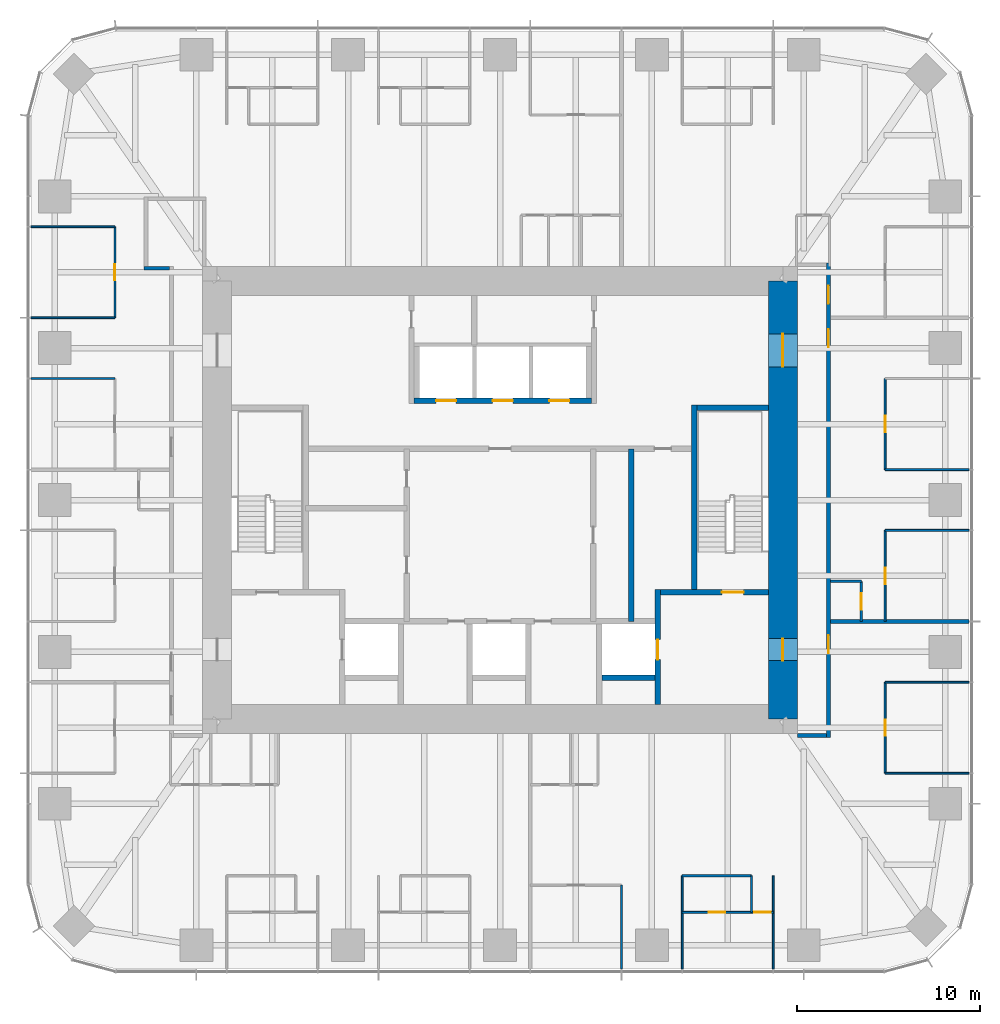
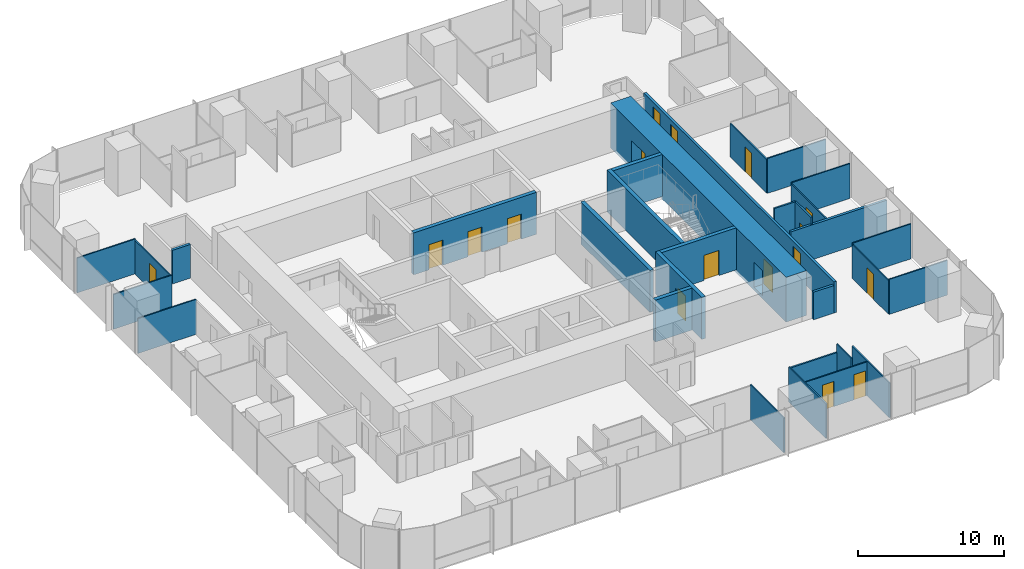
# One storey, part 10 of 13: 31 walls, 17 doors, 17 openings.
"""IFC4 building model written with IfcOpenShell, lengths in metres."""

from ifc_helpers import new_model, si_unit, direction, frame, frame_2d, origin, place, context, subcontext, project, spatial, rectangle, extrude, material, layer, layer_set, type_object, element, fill, save


model = new_model("IFC4")

# Units and contexts
model_context = context("Model", 3, precision=1e-05, world=origin(), true_north=direction((0.0, 1.0)))
body_context = subcontext(model_context, "Body", "Model", "MODEL_VIEW")
ifc_project = project(units=[si_unit("LENGTHUNIT", "METRE"), si_unit("AREAUNIT", "SQUARE_METRE"), si_unit("VOLUMEUNIT", "CUBIC_METRE"), si_unit("PLANEANGLEUNIT", "RADIAN"), si_unit("MASSUNIT", "GRAM", prefix="KILO")], contexts=[model_context])

# Site, building, storey
site_placement = place(None, origin())
site = spatial("IfcSite", under=ifc_project, at=site_placement, CompositionType="ELEMENT")
building_placement = place(site_placement, origin())
building = spatial("IfcBuilding", under=site, at=building_placement, Name="Khuree Lantern Residences", CompositionType="ELEMENT")
storey_placement = place(building_placement, frame((0.0, 0.0, 248.25)))
storey = spatial("IfcBuildingStorey", under=building, at=storey_placement, Name="L62", CompositionType="ELEMENT", Elevation=248.25)

# Wall, opening, door
ifc_material_1 = material(Name="Moisture-resistant gypsum board on steel studs", Category="steel")
ifc_layer_1 = layer(ifc_material_1, 0.125)
ifc_layer_set_1 = layer_set([ifc_layer_1], Name="BATHROOM WALL BTW125")
wall_type_1 = type_object("IfcWallType", Name="BATHROOM WALL BTW125", PredefinedType="PARTITIONING", material=ifc_layer_set_1)
wall_1_placement = place(storey_placement, frame((19.800048828125, -6.656005859375, 0.0), z_axis=(0.0, 0.0, 1.0), x_axis=(0.0, 1.0, 0.0)))
wall_1 = element("IfcWall", 1, at=wall_1_placement, inside=storey, type_object=wall_type_1, Name="L62 BATHROOM WALL 01", PredefinedType="PARTITIONING", context=body_context, shape_type="SweptSolid", body=[
    extrude(rectangle(XDim=2.199951171875, YDim=0.125, at=frame_2d((1.10009765625, 0.0))), origin(), (0.0, 0.0, 1.0), 3.5),
])
opening_1_placement = place(wall_1_placement, frame((0.64990234375, 0.0, 0.0)))
opening_1 = element("IfcOpeningElement", 2, at=opening_1_placement, cuts=wall_1, Name="Opening 62-024", PredefinedType="OPENING", context=body_context, shape_type="SweptSolid", body=[
    extrude(rectangle(XDim=0.89990234375, YDim=2.10009765625, at=frame_2d((0.449951171875, 1.050048828125))), frame((0.0, 0.072509765625, 0.0), z_axis=(0.0, -1.0, 0.0), x_axis=(1.0, 0.0, 0.0)), (0.0, 0.0, 1.0), 0.14501953125),
])
ifc_material_2 = material(Name="Timber door leaf in hardwood frame", Category="wood")
door_type_1 = type_object("IfcDoorType", Name="BATHROOM DOOR 900X2100", OperationType="SINGLE_SWING_LEFT", PredefinedType="DOOR", material=ifc_material_2)
door_1_placement = place(opening_1_placement, origin())
door_1 = element("IfcDoor", 3, at=door_1_placement, inside=storey, type_object=door_type_1, Name="Bathroom door 62-024", OperationType="SINGLE_SWING_LEFT", OverallHeight=2.10009765625, OverallWidth=0.89990234375, PredefinedType="DOOR", context=body_context, shape_type="SweptSolid", body=[
    extrude(rectangle(XDim=0.89990234375, YDim=2.10009765625, at=frame_2d((0.449951171875, 1.050048828125))), frame((0.0, 0.02490234375, 0.0), z_axis=(0.0, -1.0, 0.0), x_axis=(1.0, 0.0, 0.0)), (0.0, 0.0, 1.0), 0.050048828125),
])
fill(opening_1, door_1)

# Walls
wall_2_placement = place(storey_placement, frame((18.10009765625, -4.4560546875, 0.0), z_axis=(0.0, 0.0, 1.0), x_axis=(1.0, 0.0, 0.0)))
element("IfcWall", 4, at=wall_2_placement, inside=storey, type_object=wall_type_1, Name="L62 BATHROOM WALL 01", PredefinedType="PARTITIONING", context=body_context, shape_type="SweptSolid", body=[
    extrude(rectangle(XDim=1.699951171875, YDim=0.125, at=frame_2d((0.85009765625, 0.0))), origin(), (0.0, 0.0, 1.0), 3.5),
])
wall_3_placement = place(storey_placement, frame((9.98388671875, -20.594970703125, 0.0), z_axis=(0.0, 0.0, 1.0), x_axis=(1.0, 0.0, 0.0)))
element("IfcWall", 5, at=wall_3_placement, inside=storey, type_object=wall_type_1, Name="L62 BATHROOM WALL 06", PredefinedType="PARTITIONING", context=body_context, shape_type="SweptSolid", body=[
    extrude(rectangle(XDim=3.7919921875, YDim=0.125, at=frame_2d((1.89599609375, 0.0))), origin(), (0.0, 0.0, 1.0), 2.81005859375),
])

# Wall, opening, door
ifc_material_3 = material(Name="Dense concrete blockwork", Category="masonry")
ifc_layer_2 = layer(ifc_material_3, 0.300048828125)
ifc_layer_set_2 = layer_set([ifc_layer_2], Name="CORE PARTITION WALL CPW300 EI 120")
wall_type_2 = type_object("IfcWallType", Name="CORE PARTITION WALL CPW300 EI 120", PredefinedType="PARTITIONING", material=ifc_layer_set_2)
wall_4_placement = place(storey_placement, frame((8.64990234375, -11.199951171875, 0.0), z_axis=(0.0, 0.0, 1.0), x_axis=(0.0, 1.0, 0.0)))
wall_4 = element("IfcWall", 6, at=wall_4_placement, inside=storey, type_object=wall_type_2, Name="L62 CORE WALL FL2E", PredefinedType="PARTITIONING", context=body_context, shape_type="SweptSolid", body=[
    extrude(rectangle(XDim=6.300048828125, YDim=0.300048828125, at=frame_2d((3.14990234375, 0.0))), origin(), (0.0, 0.0, 1.0), 3.5),
])
opening_2_placement = place(wall_4_placement, frame((2.449951171875, 0.0, 0.0)))
opening_2 = element("IfcOpeningElement", 7, at=opening_2_placement, cuts=wall_4, Name="Opening 62-008", PredefinedType="OPENING", context=body_context, shape_type="SweptSolid", body=[
    extrude(rectangle(XDim=1.10009765625, YDim=2.10009765625, at=frame_2d((0.550048828125, 1.050048828125))), frame((0.0, 0.16015625, 0.0), z_axis=(0.0, -1.0, 0.0), x_axis=(1.0, 0.0, 0.0)), (0.0, 0.0, 1.0), 0.320068359375),
])
ifc_material_4 = material(Name="Stainless steel lift landing door", Category="steel")
door_type_2 = type_object("IfcDoorType", Name="LIFT LANDING DOOR 1100X2100 E 120", OperationType="DOUBLE_DOOR_SLIDING", PredefinedType="DOOR", material=ifc_material_4)
door_2_placement = place(opening_2_placement, origin())
door_2 = element("IfcDoor", 8, at=door_2_placement, inside=storey, type_object=door_type_2, Name="Landing door FL2 62-008", OperationType="DOUBLE_DOOR_SLIDING", OverallHeight=2.10009765625, OverallWidth=1.10009765625, PredefinedType="DOOR", context=body_context, shape_type="SweptSolid", body=[
    extrude(rectangle(XDim=1.10009765625, YDim=2.10009765625, at=frame_2d((0.550048828125, 1.050048828125))), frame((0.0, 0.02490234375, 0.0), z_axis=(0.0, -1.0, 0.0), x_axis=(1.0, 0.0, 0.0)), (0.0, 0.0, 1.0), 0.050048828125),
])
fill(opening_2, door_2)

# Wall
wall_5_placement = place(storey_placement, frame((5.60009765625, -9.75, 0.0), z_axis=(0.0, 0.0, 1.0), x_axis=(1.0, 0.0, 0.0)))
element("IfcWall", 9, at=wall_5_placement, inside=storey, type_object=wall_type_2, Name="L62 CORE WALL FL2S", PredefinedType="PARTITIONING", context=body_context, shape_type="SweptSolid", body=[
    extrude(rectangle(XDim=2.89990234375, YDim=0.300048828125, at=frame_2d((1.449951171875, 0.0))), origin(), (0.0, 0.0, 1.0), 3.5),
])

# Wall, openings, doors
wall_6_placement = place(storey_placement, frame((-4.699951171875, 5.449951171875, 0.0), z_axis=(0.0, 0.0, 1.0), x_axis=(1.0, 0.0, 0.0)))
wall_6 = element("IfcWall", 10, at=wall_6_placement, inside=storey, type_object=wall_type_2, Name="L62 CORE WALL PHS", PredefinedType="PARTITIONING", context=body_context, shape_type="SweptSolid", body=[
    extrude(rectangle(XDim=9.699951171875, YDim=0.300048828125, at=frame_2d((4.85009765625, 0.0))), origin(), (0.0, 0.0, 1.0), 3.5),
])
opening_3_placement = place(wall_6_placement, frame((1.199951171875, 0.0, 0.0)))
opening_3 = element("IfcOpeningElement", 11, at=opening_3_placement, cuts=wall_6, Name="Opening 62-009", PredefinedType="OPENING", context=body_context, shape_type="SweptSolid", body=[
    extrude(rectangle(XDim=1.10009765625, YDim=2.10009765625, at=frame_2d((0.550048828125, 1.050048828125))), frame((0.0, 0.16015625, 0.0), z_axis=(0.0, -1.0, 0.0), x_axis=(1.0, 0.0, 0.0)), (0.0, 0.0, 1.0), 0.320068359375),
])
opening_4_placement = place(wall_6_placement, frame((4.300048828125, 0.0, 0.0)))
opening_4 = element("IfcOpeningElement", 12, at=opening_4_placement, cuts=wall_6, Name="Opening 62-010", PredefinedType="OPENING", context=body_context, shape_type="SweptSolid", body=[
    extrude(rectangle(XDim=1.10009765625, YDim=2.10009765625, at=frame_2d((0.550048828125, 1.050048828125))), frame((0.0, 0.16015625, 0.0), z_axis=(0.0, -1.0, 0.0), x_axis=(1.0, 0.0, 0.0)), (0.0, 0.0, 1.0), 0.320068359375),
])
opening_5_placement = place(wall_6_placement, frame((7.39990234375, 0.0, 0.0)))
opening_5 = element("IfcOpeningElement", 13, at=opening_5_placement, cuts=wall_6, Name="Opening 62-011", PredefinedType="OPENING", context=body_context, shape_type="SweptSolid", body=[
    extrude(rectangle(XDim=1.10009765625, YDim=2.10009765625, at=frame_2d((0.550048828125, 1.050048828125))), frame((0.0, 0.16015625, 0.0), z_axis=(0.0, -1.0, 0.0), x_axis=(1.0, 0.0, 0.0)), (0.0, 0.0, 1.0), 0.320068359375),
])
door_type_3 = type_object("IfcDoorType", Name="LIFT LANDING DOOR 1100X2100 E 60", OperationType="DOUBLE_DOOR_SLIDING", PredefinedType="DOOR", material=ifc_material_4)
door_3_placement = place(opening_3_placement, origin())
door_3 = element("IfcDoor", 14, at=door_3_placement, inside=storey, type_object=door_type_3, Name="Landing door PH1 62-009", OperationType="DOUBLE_DOOR_SLIDING", OverallHeight=2.10009765625, OverallWidth=1.10009765625, PredefinedType="DOOR", context=body_context, shape_type="SweptSolid", body=[
    extrude(rectangle(XDim=1.10009765625, YDim=2.10009765625, at=frame_2d((0.550048828125, 1.050048828125))), frame((0.0, 0.02490234375, 0.0), z_axis=(0.0, -1.0, 0.0), x_axis=(1.0, 0.0, 0.0)), (0.0, 0.0, 1.0), 0.050048828125),
])
fill(opening_3, door_3)
door_4_placement = place(opening_4_placement, origin())
door_4 = element("IfcDoor", 15, at=door_4_placement, inside=storey, type_object=door_type_3, Name="Landing door PH2 62-010", OperationType="DOUBLE_DOOR_SLIDING", OverallHeight=2.10009765625, OverallWidth=1.10009765625, PredefinedType="DOOR", context=body_context, shape_type="SweptSolid", body=[
    extrude(rectangle(XDim=1.10009765625, YDim=2.10009765625, at=frame_2d((0.550048828125, 1.050048828125))), frame((0.0, 0.02490234375, 0.0), z_axis=(0.0, -1.0, 0.0), x_axis=(1.0, 0.0, 0.0)), (0.0, 0.0, 1.0), 0.050048828125),
])
fill(opening_4, door_4)
door_5_placement = place(opening_5_placement, origin())
door_5 = element("IfcDoor", 16, at=door_5_placement, inside=storey, type_object=door_type_3, Name="Landing door PH3 62-011", OperationType="DOUBLE_DOOR_SLIDING", OverallHeight=2.10009765625, OverallWidth=1.10009765625, PredefinedType="DOOR", context=body_context, shape_type="SweptSolid", body=[
    extrude(rectangle(XDim=1.10009765625, YDim=2.10009765625, at=frame_2d((0.550048828125, 1.050048828125))), frame((0.0, 0.02490234375, 0.0), z_axis=(0.0, -1.0, 0.0), x_axis=(1.0, 0.0, 0.0)), (0.0, 0.0, 1.0), 0.050048828125),
])
fill(opening_5, door_5)

# Walls
wall_7_placement = place(storey_placement, frame((7.193115234375, -6.64990234375, 0.0), z_axis=(0.0, 0.0, 1.0), x_axis=(0.0, 1.0, 0.0)))
element("IfcWall", 17, at=wall_7_placement, inside=storey, type_object=wall_type_2, Name="L62 CORE WALL EV", PredefinedType="PARTITIONING", context=body_context, shape_type="SweptSolid", body=[
    extrude(rectangle(XDim=9.449951171875, YDim=0.300048828125, at=frame_2d((4.72509765625, 0.0))), origin(), (0.0, 0.0, 1.0), 3.5),
])
ifc_material_5 = material(Name="Gypsum board on steel studs", Category="steel")
ifc_layer_3 = layer(ifc_material_5, 0.199951171875)
ifc_layer_set_3 = layer_set([ifc_layer_3], Name="CORRIDOR WALL CRW200 EI 60")
wall_type_3 = type_object("IfcWallType", Name="CORRIDOR WALL CRW200 EI 60", PredefinedType="PARTITIONING", material=ifc_layer_set_3)
wall_8_placement = place(storey_placement, frame((-18.10009765625, 12.699951171875, 0.0), z_axis=(0.0, 0.0, 1.0), x_axis=(-1.0, 0.0, 0.0)))
element("IfcWall", 18, at=wall_8_placement, inside=storey, type_object=wall_type_3, Name="L62 RESIDENTS LOUNGE WALL", PredefinedType="PARTITIONING", context=body_context, shape_type="SweptSolid", body=[
    extrude(rectangle(XDim=1.39990234375, YDim=0.199951171875, at=frame_2d((0.699951171875, 0.0))), origin(), (0.0, 0.0, 1.0), 2.81005859375),
])
wall_9_placement = place(storey_placement, frame((16.300048828125, -12.89990234375, 0.0), z_axis=(0.0, 0.0, 1.0), x_axis=(1.0, 0.0, 0.0)))
element("IfcWall", 19, at=wall_9_placement, inside=storey, type_object=wall_type_3, Name="L62 EAST CORRIDOR SOUTH END WALL", PredefinedType="PARTITIONING", context=body_context, shape_type="SweptSolid", body=[
    extrude(rectangle(XDim=1.599853515625, YDim=0.199951171875, at=frame_2d((0.7998046875, 0.0))), origin(), (0.0, 0.0, 1.0), 2.300048828125),
])

# Wall, openings, doors
wall_10_placement = place(storey_placement, frame((18.0, -13.0, 0.0), z_axis=(0.0, 0.0, 1.0), x_axis=(0.0, 1.0, 0.0)))
wall_10 = element("IfcWall", 20, at=wall_10_placement, inside=storey, type_object=wall_type_3, Name="L62 CORRIDOR WALL EAST 1", PredefinedType="PARTITIONING", context=body_context, shape_type="SweptSolid", body=[
    extrude(rectangle(XDim=26.0, YDim=0.199951171875, at=frame_2d((13.0, 0.0))), origin(), (0.0, 0.0, 1.0), 2.60009765625),
])
opening_6_placement = place(wall_10_placement, frame((21.364013671875, 0.0, 0.0)))
opening_6 = element("IfcOpeningElement", 21, at=opening_6_placement, cuts=wall_10, Name="Opening 62-025", PredefinedType="OPENING", context=body_context, shape_type="SweptSolid", body=[
    extrude(rectangle(XDim=1.0, YDim=2.199951171875, at=frame_2d((0.5, 1.10009765625))), frame((0.0, 0.10986328125, 0.0), z_axis=(0.0, -1.0, 0.0), x_axis=(1.0, 0.0, 0.0)), (0.0, 0.0, 1.0), 0.219970703125),
])
opening_7_placement = place(wall_10_placement, frame((23.75390625, 0.0, 0.0)))
opening_7 = element("IfcOpeningElement", 22, at=opening_7_placement, cuts=wall_10, Name="Opening 62-030", PredefinedType="OPENING", context=body_context, shape_type="SweptSolid", body=[
    extrude(rectangle(XDim=1.0, YDim=2.199951171875, at=frame_2d((0.5, 1.10009765625))), frame((0.0, 0.10986328125, 0.0), z_axis=(0.0, -1.0, 0.0), x_axis=(1.0, 0.0, 0.0)), (0.0, 0.0, 1.0), 0.219970703125),
])
opening_8_placement = place(wall_10_placement, frame((4.60009765625, 0.0, 0.0)))
opening_8 = element("IfcOpeningElement", 23, at=opening_8_placement, cuts=wall_10, Name="Opening 62-060", PredefinedType="OPENING", context=body_context, shape_type="SweptSolid", body=[
    extrude(rectangle(XDim=1.0, YDim=2.199951171875, at=frame_2d((0.5, 1.10009765625))), frame((0.0, 0.10986328125, 0.0), z_axis=(0.0, -1.0, 0.0), x_axis=(1.0, 0.0, 0.0)), (0.0, 0.0, 1.0), 0.219970703125),
])
door_type_4 = type_object("IfcDoorType", Name="APARTMENT ENTRANCE DOOR 1000X2200 EI 30S", OperationType="SINGLE_SWING_LEFT", PredefinedType="DOOR", material=ifc_material_2)
door_6_placement = place(opening_8_placement, origin())
door_6 = element("IfcDoor", 24, at=door_6_placement, inside=storey, type_object=door_type_4, Name="Apartment 06 entrance door 62-060", OperationType="SINGLE_SWING_LEFT", OverallHeight=2.199951171875, OverallWidth=1.0, PredefinedType="DOOR", context=body_context, shape_type="SweptSolid", body=[
    extrude(rectangle(XDim=1.0, YDim=2.199951171875, at=frame_2d((0.5, 1.10009765625))), frame((0.0, 0.02490234375, 0.0), z_axis=(0.0, -1.0, 0.0), x_axis=(1.0, 0.0, 0.0)), (0.0, 0.0, 1.0), 0.050048828125),
])
fill(opening_8, door_6)
door_type_5 = type_object("IfcDoorType", Name="APARTMENT ENTRANCE DOOR 1000X2200 EI 30S RIGHT HAND", OperationType="SINGLE_SWING_RIGHT", PredefinedType="DOOR", material=ifc_material_2)
door_7_placement = place(opening_6_placement, origin())
door_7 = element("IfcDoor", 25, at=door_7_placement, inside=storey, type_object=door_type_5, Name="Apartment 01 entrance door 62-025", OperationType="SINGLE_SWING_RIGHT", OverallHeight=2.199951171875, OverallWidth=1.0, PredefinedType="DOOR", context=body_context, shape_type="SweptSolid", body=[
    extrude(rectangle(XDim=1.0, YDim=2.199951171875, at=frame_2d((0.5, 1.10009765625))), frame((0.0, 0.02490234375, 0.0), z_axis=(0.0, -1.0, 0.0), x_axis=(1.0, 0.0, 0.0)), (0.0, 0.0, 1.0), 0.050048828125),
])
fill(opening_6, door_7)
door_8_placement = place(opening_7_placement, origin())
door_8 = element("IfcDoor", 26, at=door_8_placement, inside=storey, type_object=door_type_5, Name="Apartment 02 entrance door 62-030", OperationType="SINGLE_SWING_RIGHT", OverallHeight=2.199951171875, OverallWidth=1.0, PredefinedType="DOOR", context=body_context, shape_type="SweptSolid", body=[
    extrude(rectangle(XDim=1.0, YDim=2.199951171875, at=frame_2d((0.5, 1.10009765625))), frame((0.0, 0.02490234375, 0.0), z_axis=(0.0, -1.0, 0.0), x_axis=(1.0, 0.0, 0.0)), (0.0, 0.0, 1.0), 0.050048828125),
])
fill(opening_7, door_8)

ifc_material_6 = material(Name="Concrete C50/60", Category="concrete")
ifc_layer_4 = layer(ifc_material_6, 1.60009765625)
ifc_layer_set_4 = layer_set([ifc_layer_4], Name="CW1600-C50 CORE WALL C50 1600")
wall_type_4 = type_object("IfcWallType", Name="CW1600-C50 CORE WALL C50 1600", PredefinedType="SHEAR", material=ifc_layer_set_4)
wall_11_placement = place(storey_placement, frame((15.5, -12.0, -0.25), z_axis=(0.0, 0.0, 1.0), x_axis=(0.0, 1.0, 0.0)))
wall_11 = element("IfcWall", 27, at=wall_11_placement, inside=storey, type_object=wall_type_4, Name="Core wall E", PredefinedType="SHEAR", context=body_context, shape_type="SweptSolid", body=[
    extrude(rectangle(XDim=24.0, YDim=1.60009765625, at=frame_2d((12.0, 0.0))), origin(), (0.0, 0.0, 1.0), 3.75),
])
opening_9_placement = place(wall_11_placement, frame((3.199951171875, 0.0, 0.25)))
opening_9 = element("IfcOpeningElement", 28, at=opening_9_placement, cuts=wall_11, Name="Opening 62-005", PredefinedType="OPENING", context=body_context, shape_type="SweptSolid", body=[
    extrude(rectangle(XDim=1.199951171875, YDim=2.10009765625, at=frame_2d((0.60009765625, 1.050048828125))), frame((0.0, 0.81005859375, 0.0), z_axis=(0.0, -1.0, 0.0), x_axis=(1.0, 0.0, 0.0)), (0.0, 0.0, 1.0), 1.6201171875),
])
opening_10_placement = place(wall_11_placement, frame((19.300048828125, 0.0, 0.25)))
opening_10 = element("IfcOpeningElement", 29, at=opening_10_placement, cuts=wall_11, Name="Opening 62-006", PredefinedType="OPENING", context=body_context, shape_type="SweptSolid", body=[
    extrude(rectangle(XDim=1.800048828125, YDim=2.10009765625, at=frame_2d((0.89990234375, 1.050048828125))), frame((0.0, 0.81005859375, 0.0), z_axis=(0.0, -1.0, 0.0), x_axis=(1.0, 0.0, 0.0)), (0.0, 0.0, 1.0), 1.6201171875),
])
ifc_material_7 = material(Name="Steel door leaf in steel frame", Category="steel")
door_type_6 = type_object("IfcDoorType", Name="LOBBY DOOR 1200X2100 EI 120", OperationType="SINGLE_SWING_LEFT", PredefinedType="DOOR", material=ifc_material_7)
door_9_placement = place(opening_9_placement, origin())
door_9 = element("IfcDoor", 30, at=door_9_placement, inside=storey, type_object=door_type_6, Name="Firefighting lobby door 62-005", OperationType="SINGLE_SWING_LEFT", OverallHeight=2.10009765625, OverallWidth=1.199951171875, PredefinedType="DOOR", context=body_context, shape_type="SweptSolid", body=[
    extrude(rectangle(XDim=1.199951171875, YDim=2.10009765625, at=frame_2d((0.60009765625, 1.050048828125))), frame((0.0, 0.02490234375, 0.0), z_axis=(0.0, -1.0, 0.0), x_axis=(1.0, 0.0, 0.0)), (0.0, 0.0, 1.0), 0.050048828125),
])
fill(opening_9, door_9)
door_type_7 = type_object("IfcDoorType", Name="LOBBY DOUBLE DOOR 1800X2100 EI 60", OperationType="DOUBLE_DOOR_SINGLE_SWING", PredefinedType="DOOR", material=ifc_material_7)
door_10_placement = place(opening_10_placement, origin())
door_10 = element("IfcDoor", 31, at=door_10_placement, inside=storey, type_object=door_type_7, Name="Lift lobby door 62-006", OperationType="DOUBLE_DOOR_SINGLE_SWING", OverallHeight=2.10009765625, OverallWidth=1.800048828125, PredefinedType="DOOR", context=body_context, shape_type="SweptSolid", body=[
    extrude(rectangle(XDim=1.800048828125, YDim=2.10009765625, at=frame_2d((0.89990234375, 1.050048828125))), frame((0.0, 0.02490234375, 0.0), z_axis=(0.0, -1.0, 0.0), x_axis=(1.0, 0.0, 0.0)), (0.0, 0.0, 1.0), 0.050048828125),
])
fill(opening_10, door_10)

# Walls
ifc_layer_5 = layer(ifc_material_5, 0.199951171875)
ifc_layer_set_5 = layer_set([ifc_layer_5], Name="DEMISING WALL DMW200 EI 90")
wall_type_5 = type_object("IfcWallType", Name="DEMISING WALL DMW200 EI 90", PredefinedType="PARTITIONING", material=ifc_layer_set_5)
wall_12_placement = place(storey_placement, frame((18.10009765625, -6.656005859375, 0.0), z_axis=(0.0, 0.0, 1.0), x_axis=(1.0, 0.0, 0.0)))
element("IfcWall", 32, at=wall_12_placement, inside=storey, type_object=wall_type_5, Name="L62 DEMISING WALL 01", PredefinedType="PARTITIONING", context=body_context, shape_type="SweptSolid", body=[
    extrude(rectangle(XDim=7.599853515625, YDim=0.199951171875, at=frame_2d((3.7998046875, 0.0))), origin(), (0.0, 0.0, 1.0), 2.909912109375),
])
ifc_layer_6 = layer(ifc_material_5, 0.10009765625)
ifc_layer_set_6 = layer_set([ifc_layer_6], Name="PARTITION PT100")
wall_type_6 = type_object("IfcWallType", Name="PARTITION PT100", PredefinedType="PARTITIONING", material=ifc_layer_set_6)
for number, where, z_axis, x_axis, name in (
    (33, (21.10009765625, -1.6640625, 0.0), (0.0, 0.0, 1.0), (1.0, 0.0, 0.0), "L62 PARTITION 01"),
    (34, (21.10009765625, 1.6640625, 0.0), (0.0, 0.0, 1.0), (1.0, 0.0, 0.0), "L62 PARTITION 01"),
    (35, (-21.10009765625, 14.97607421875, 0.0), (0.0, 0.0, 1.0), (-1.0, 0.0, 0.0), "L62 PARTITION 03"),
    (36, (-21.10009765625, 9.98388671875, 0.0), (0.0, 0.0, 1.0), (-1.0, 0.0, 0.0), "L62 PARTITION 03"),
    (37, (-21.10009765625, 6.656005859375, 0.0), (0.0, 0.0, 1.0), (-1.0, 0.0, 0.0), "L62 PARTITION 03"),
    (38, (6.656005859375, -21.10009765625, 0.0), (0.0, 0.0, 1.0), (0.0, -1.0, 0.0), "L62 PARTITION 06"),
):
    element("IfcWall", number, at=place(storey_placement, frame(where, z_axis=z_axis, x_axis=x_axis)), inside=storey, type_object=wall_type_6, Name=name, PredefinedType="PARTITIONING", context=body_context, shape_type="SweptSolid", body=[
        extrude(rectangle(XDim=4.599853515625, YDim=0.10009765625, at=frame_2d((2.2998046875, 0.0))), origin(), (0.0, 0.0, 1.0), 2.909912109375),
    ])
for number, where, z_axis, x_axis, name in (
    (39, (9.98388671875, -20.594970703125, 0.0), (0.0, 0.0, 1.0), (0.0, -1.0, 0.0), "L62 PARTITION 06"),
    (40, (14.97607421875, -20.594970703125, 0.0), (0.0, 0.0, 1.0), (0.0, -1.0, 0.0), "L62 PARTITION 06"),
):
    element("IfcWall", number, at=place(storey_placement, frame(where, z_axis=z_axis, x_axis=x_axis)), inside=storey, type_object=wall_type_6, Name=name, PredefinedType="PARTITIONING", context=body_context, shape_type="SweptSolid", body=[
        extrude(rectangle(XDim=5.10498046875, YDim=0.10009765625, at=frame_2d((2.552490234375, 0.0))), origin(), (0.0, 0.0, 1.0), 2.909912109375),
    ])
for number, where, z_axis, x_axis, name in (
    (41, (21.10009765625, -14.97607421875, 0.0), (0.0, 0.0, 1.0), (1.0, 0.0, 0.0), "L62 PARTITION 06"),
    (42, (21.10009765625, -9.98388671875, 0.0), (0.0, 0.0, 1.0), (1.0, 0.0, 0.0), "L62 PARTITION 06"),
):
    element("IfcWall", number, at=place(storey_placement, frame(where, z_axis=z_axis, x_axis=x_axis)), inside=storey, type_object=wall_type_6, Name=name, PredefinedType="PARTITIONING", context=body_context, shape_type="SweptSolid", body=[
        extrude(rectangle(XDim=4.599853515625, YDim=0.10009765625, at=frame_2d((2.2998046875, 0.0))), origin(), (0.0, 0.0, 1.0), 2.909912109375),
    ])

# Wall, opening, door
wall_13_placement = place(storey_placement, frame((21.10009765625, -6.656005859375, 0.0), z_axis=(0.0, 0.0, 1.0), x_axis=(0.0, 1.0, 0.0)))
wall_13 = element("IfcWall", 43, at=wall_13_placement, inside=storey, type_object=wall_type_6, Name="L62 PARTITION 01", PredefinedType="PARTITIONING", context=body_context, shape_type="SweptSolid", body=[
    extrude(rectangle(XDim=4.991943359375, YDim=0.10009765625, at=frame_2d((2.49609375, 0.0))), origin(), (0.0, 0.0, 1.0), 2.81005859375),
])
opening_11_placement = place(wall_13_placement, frame((2.0458984375, 0.0, 0.0)))
opening_11 = element("IfcOpeningElement", 44, at=opening_11_placement, cuts=wall_13, Name="Opening 62-022", PredefinedType="OPENING", context=body_context, shape_type="SweptSolid", body=[
    extrude(rectangle(XDim=0.89990234375, YDim=2.10009765625, at=frame_2d((0.449951171875, 1.050048828125))), frame((0.0, 0.06005859375, 0.0), z_axis=(0.0, -1.0, 0.0), x_axis=(1.0, 0.0, 0.0)), (0.0, 0.0, 1.0), 0.1201171875),
])
door_type_8 = type_object("IfcDoorType", Name="BEDROOM DOOR 900X2100", OperationType="SINGLE_SWING_LEFT", PredefinedType="DOOR", material=ifc_material_2)
door_11_placement = place(opening_11_placement, origin())
door_11 = element("IfcDoor", 45, at=door_11_placement, inside=storey, type_object=door_type_8, Name="Bedroom door 62-022", OperationType="SINGLE_SWING_LEFT", OverallHeight=2.10009765625, OverallWidth=0.89990234375, PredefinedType="DOOR", context=body_context, shape_type="SweptSolid", body=[
    extrude(rectangle(XDim=0.89990234375, YDim=2.10009765625, at=frame_2d((0.449951171875, 1.050048828125))), frame((0.0, 0.02490234375, 0.0), z_axis=(0.0, -1.0, 0.0), x_axis=(1.0, 0.0, 0.0)), (0.0, 0.0, 1.0), 0.050048828125),
])
fill(opening_11, door_11)

wall_14_placement = place(storey_placement, frame((21.10009765625, 1.6640625, 0.0), z_axis=(0.0, 0.0, 1.0), x_axis=(0.0, 1.0, 0.0)))
wall_14 = element("IfcWall", 46, at=wall_14_placement, inside=storey, type_object=wall_type_6, Name="L62 PARTITION 01", PredefinedType="PARTITIONING", context=body_context, shape_type="SweptSolid", body=[
    extrude(rectangle(XDim=4.991943359375, YDim=0.10009765625, at=frame_2d((2.49609375, 0.0))), origin(), (0.0, 0.0, 1.0), 2.81005859375),
])
opening_12_placement = place(wall_14_placement, frame((2.0458984375, 0.0, 0.0)))
opening_12 = element("IfcOpeningElement", 47, at=opening_12_placement, cuts=wall_14, Name="Opening 62-023", PredefinedType="OPENING", context=body_context, shape_type="SweptSolid", body=[
    extrude(rectangle(XDim=0.89990234375, YDim=2.10009765625, at=frame_2d((0.449951171875, 1.050048828125))), frame((0.0, 0.06005859375, 0.0), z_axis=(0.0, -1.0, 0.0), x_axis=(1.0, 0.0, 0.0)), (0.0, 0.0, 1.0), 0.1201171875),
])
door_12_placement = place(opening_12_placement, origin())
door_12 = element("IfcDoor", 48, at=door_12_placement, inside=storey, type_object=door_type_8, Name="Bedroom door 62-023", OperationType="SINGLE_SWING_LEFT", OverallHeight=2.10009765625, OverallWidth=0.89990234375, PredefinedType="DOOR", context=body_context, shape_type="SweptSolid", body=[
    extrude(rectangle(XDim=0.89990234375, YDim=2.10009765625, at=frame_2d((0.449951171875, 1.050048828125))), frame((0.0, 0.02490234375, 0.0), z_axis=(0.0, -1.0, 0.0), x_axis=(1.0, 0.0, 0.0)), (0.0, 0.0, 1.0), 0.050048828125),
])
fill(opening_12, door_12)

wall_15_placement = place(storey_placement, frame((-21.10009765625, 14.97607421875, 0.0), z_axis=(0.0, 0.0, 1.0), x_axis=(0.0, -1.0, 0.0)))
wall_15 = element("IfcWall", 49, at=wall_15_placement, inside=storey, type_object=wall_type_6, Name="L62 PARTITION 03", PredefinedType="PARTITIONING", context=body_context, shape_type="SweptSolid", body=[
    extrude(rectangle(XDim=4.9921875, YDim=0.10009765625, at=frame_2d((2.49609375, 0.0))), origin(), (0.0, 0.0, 1.0), 2.81005859375),
])
opening_13_placement = place(wall_15_placement, frame((2.0458984375, 0.0, 0.0)))
opening_13 = element("IfcOpeningElement", 50, at=opening_13_placement, cuts=wall_15, Name="Opening 62-036", PredefinedType="OPENING", context=body_context, shape_type="SweptSolid", body=[
    extrude(rectangle(XDim=0.89990234375, YDim=2.10009765625, at=frame_2d((0.449951171875, 1.050048828125))), frame((0.0, 0.06005859375, 0.0), z_axis=(0.0, -1.0, 0.0), x_axis=(1.0, 0.0, 0.0)), (0.0, 0.0, 1.0), 0.1201171875),
])
door_13_placement = place(opening_13_placement, origin())
door_13 = element("IfcDoor", 51, at=door_13_placement, inside=storey, type_object=door_type_8, Name="Bedroom door 62-036", OperationType="SINGLE_SWING_LEFT", OverallHeight=2.10009765625, OverallWidth=0.89990234375, PredefinedType="DOOR", context=body_context, shape_type="SweptSolid", body=[
    extrude(rectangle(XDim=0.89990234375, YDim=2.10009765625, at=frame_2d((0.449951171875, 1.050048828125))), frame((0.0, 0.02490234375, 0.0), z_axis=(0.0, -1.0, 0.0), x_axis=(1.0, 0.0, 0.0)), (0.0, 0.0, 1.0), 0.050048828125),
])
fill(opening_13, door_13)

# Wall, openings, doors
wall_16_placement = place(storey_placement, frame((9.98388671875, -22.594970703125, 0.0), z_axis=(0.0, 0.0, 1.0), x_axis=(1.0, 0.0, 0.0)))
wall_16 = element("IfcWall", 52, at=wall_16_placement, inside=storey, type_object=wall_type_6, Name="L62 PARTITION 06", PredefinedType="PARTITIONING", context=body_context, shape_type="SweptSolid", body=[
    extrude(rectangle(XDim=4.9921875, YDim=0.10009765625, at=frame_2d((2.49609375, 0.0))), origin(), (0.0, 0.0, 1.0), 2.81005859375),
])
opening_14_placement = place(wall_16_placement, frame((3.94189453125, 0.0, 0.0)))
opening_14 = element("IfcOpeningElement", 53, at=opening_14_placement, cuts=wall_16, Name="Opening 62-055", PredefinedType="OPENING", context=body_context, shape_type="SweptSolid", body=[
    extrude(rectangle(XDim=0.89990234375, YDim=2.10009765625, at=frame_2d((0.449951171875, 1.050048828125))), frame((0.0, 0.06005859375, 0.0), z_axis=(0.0, -1.0, 0.0), x_axis=(1.0, 0.0, 0.0)), (0.0, 0.0, 1.0), 0.1201171875),
])
opening_15_placement = place(wall_16_placement, frame((1.446044921875, 0.0, 0.0)))
opening_15 = element("IfcOpeningElement", 54, at=opening_15_placement, cuts=wall_16, Name="Opening 62-056", PredefinedType="OPENING", context=body_context, shape_type="SweptSolid", body=[
    extrude(rectangle(XDim=0.89990234375, YDim=2.10009765625, at=frame_2d((0.449951171875, 1.050048828125))), frame((0.0, 0.06005859375, 0.0), z_axis=(0.0, -1.0, 0.0), x_axis=(1.0, 0.0, 0.0)), (0.0, 0.0, 1.0), 0.1201171875),
])
door_14_placement = place(opening_15_placement, origin())
door_14 = element("IfcDoor", 55, at=door_14_placement, inside=storey, type_object=door_type_1, Name="Bathroom door 62-056", OperationType="SINGLE_SWING_LEFT", OverallHeight=2.10009765625, OverallWidth=0.89990234375, PredefinedType="DOOR", context=body_context, shape_type="SweptSolid", body=[
    extrude(rectangle(XDim=0.89990234375, YDim=2.10009765625, at=frame_2d((0.449951171875, 1.050048828125))), frame((0.0, 0.02490234375, 0.0), z_axis=(0.0, -1.0, 0.0), x_axis=(1.0, 0.0, 0.0)), (0.0, 0.0, 1.0), 0.050048828125),
])
fill(opening_15, door_14)
door_15_placement = place(opening_14_placement, origin())
door_15 = element("IfcDoor", 56, at=door_15_placement, inside=storey, type_object=door_type_8, Name="Bedroom door 62-055", OperationType="SINGLE_SWING_LEFT", OverallHeight=2.10009765625, OverallWidth=0.89990234375, PredefinedType="DOOR", context=body_context, shape_type="SweptSolid", body=[
    extrude(rectangle(XDim=0.89990234375, YDim=2.10009765625, at=frame_2d((0.449951171875, 1.050048828125))), frame((0.0, 0.02490234375, 0.0), z_axis=(0.0, -1.0, 0.0), x_axis=(1.0, 0.0, 0.0)), (0.0, 0.0, 1.0), 0.050048828125),
])
fill(opening_14, door_15)

# Wall
wall_17_placement = place(storey_placement, frame((13.77587890625, -20.594970703125, 0.0), z_axis=(0.0, 0.0, 1.0), x_axis=(0.0, -1.0, 0.0)))
element("IfcWall", 57, at=wall_17_placement, inside=storey, type_object=wall_type_6, Name="L62 PARTITION 06", PredefinedType="PARTITIONING", context=body_context, shape_type="SweptSolid", body=[
    extrude(rectangle(XDim=2.0, YDim=0.10009765625, at=frame_2d((1.0, 0.0))), origin(), (0.0, 0.0, 1.0), 3.5),
])

# Wall, opening, door
wall_18_placement = place(storey_placement, frame((21.10009765625, -14.97607421875, 0.0), z_axis=(0.0, 0.0, 1.0), x_axis=(0.0, 1.0, 0.0)))
wall_18 = element("IfcWall", 58, at=wall_18_placement, inside=storey, type_object=wall_type_6, Name="L62 PARTITION 06", PredefinedType="PARTITIONING", context=body_context, shape_type="SweptSolid", body=[
    extrude(rectangle(XDim=4.9921875, YDim=0.10009765625, at=frame_2d((2.49609375, 0.0))), origin(), (0.0, 0.0, 1.0), 2.81005859375),
])
opening_16_placement = place(wall_18_placement, frame((2.0458984375, 0.0, 0.0)))
opening_16 = element("IfcOpeningElement", 59, at=opening_16_placement, cuts=wall_18, Name="Opening 62-057", PredefinedType="OPENING", context=body_context, shape_type="SweptSolid", body=[
    extrude(rectangle(XDim=0.89990234375, YDim=2.10009765625, at=frame_2d((0.449951171875, 1.050048828125))), frame((0.0, 0.06005859375, 0.0), z_axis=(0.0, -1.0, 0.0), x_axis=(1.0, 0.0, 0.0)), (0.0, 0.0, 1.0), 0.1201171875),
])
door_16_placement = place(opening_16_placement, origin())
door_16 = element("IfcDoor", 60, at=door_16_placement, inside=storey, type_object=door_type_8, Name="Bedroom door 62-057", OperationType="SINGLE_SWING_LEFT", OverallHeight=2.10009765625, OverallWidth=0.89990234375, PredefinedType="DOOR", context=body_context, shape_type="SweptSolid", body=[
    extrude(rectangle(XDim=0.89990234375, YDim=2.10009765625, at=frame_2d((0.449951171875, 1.050048828125))), frame((0.0, 0.02490234375, 0.0), z_axis=(0.0, -1.0, 0.0), x_axis=(1.0, 0.0, 0.0)), (0.0, 0.0, 1.0), 0.050048828125),
])
fill(opening_16, door_16)

# Wall
ifc_layer_7 = layer(ifc_material_6, 0.300048828125)
ifc_layer_set_7 = layer_set([ifc_layer_7], Name="STAIR WALL SRW300 C50/60 REI 240")
wall_type_7 = type_object("IfcWallType", Name="STAIR WALL SRW300 C50/60 REI 240", PredefinedType="SOLIDWALL", material=ifc_layer_set_7)
wall_19_placement = place(storey_placement, frame((10.64990234375, -4.89990234375, 0.0), z_axis=(0.0, 0.0, 1.0), x_axis=(0.0, 1.0, 0.0)))
element("IfcWall", 61, at=wall_19_placement, inside=storey, type_object=wall_type_7, Name="L62 STAIR WALL ST2E", PredefinedType="SOLIDWALL", context=body_context, shape_type="SweptSolid", body=[
    extrude(rectangle(XDim=10.099853515625, YDim=0.300048828125, at=frame_2d((5.0498046875, 0.0))), origin(), (0.0, 0.0, 1.0), 3.5),
])

# Wall, opening, door
wall_20_placement = place(storey_placement, frame((14.699951171875, -5.050048828125, 0.0), z_axis=(0.0, 0.0, 1.0), x_axis=(-1.0, 0.0, 0.0)))
wall_20 = element("IfcWall", 62, at=wall_20_placement, inside=storey, type_object=wall_type_7, Name="L62 STAIR WALL ST2S", PredefinedType="SOLIDWALL", context=body_context, shape_type="SweptSolid", body=[
    extrude(rectangle(XDim=5.89990234375, YDim=0.300048828125, at=frame_2d((2.949951171875, 0.0))), origin(), (0.0, 0.0, 1.0), 3.5),
])
opening_17_placement = place(wall_20_placement, frame((1.35009765625, 0.0, 0.0)))
opening_17 = element("IfcOpeningElement", 63, at=opening_17_placement, cuts=wall_20, Name="Opening 62-004", PredefinedType="OPENING", context=body_context, shape_type="SweptSolid", body=[
    extrude(rectangle(XDim=1.199951171875, YDim=2.10009765625, at=frame_2d((0.60009765625, 1.050048828125))), frame((0.0, 0.16015625, 0.0), z_axis=(0.0, -1.0, 0.0), x_axis=(1.0, 0.0, 0.0)), (0.0, 0.0, 1.0), 0.320068359375),
])
door_type_9 = type_object("IfcDoorType", Name="STAIR DOOR 1200X2100 EI 120", OperationType="SINGLE_SWING_LEFT", PredefinedType="DOOR", material=ifc_material_7)
door_17_placement = place(opening_17_placement, origin())
door_17 = element("IfcDoor", 64, at=door_17_placement, inside=storey, type_object=door_type_9, Name="Stair ST2 door 62-004", OperationType="SINGLE_SWING_LEFT", OverallHeight=2.10009765625, OverallWidth=1.199951171875, PredefinedType="DOOR", context=body_context, shape_type="SweptSolid", body=[
    extrude(rectangle(XDim=1.199951171875, YDim=2.10009765625, at=frame_2d((0.60009765625, 1.050048828125))), frame((0.0, 0.02490234375, 0.0), z_axis=(0.0, -1.0, 0.0), x_axis=(1.0, 0.0, 0.0)), (0.0, 0.0, 1.0), 0.050048828125),
])
fill(opening_17, door_17)

# Wall
wall_21_placement = place(storey_placement, frame((14.699951171875, 5.050048828125, 0.0), z_axis=(0.0, 0.0, 1.0), x_axis=(-1.0, 0.0, 0.0)))
element("IfcWall", 65, at=wall_21_placement, inside=storey, type_object=wall_type_7, Name="L62 STAIR WALL ST2N", PredefinedType="SOLIDWALL", context=body_context, shape_type="SweptSolid", body=[
    extrude(rectangle(XDim=3.89990234375, YDim=0.300048828125, at=frame_2d((1.949951171875, 0.0))), origin(), (0.0, 0.0, 1.0), 3.5),
])

save(model, "model.ifc")
